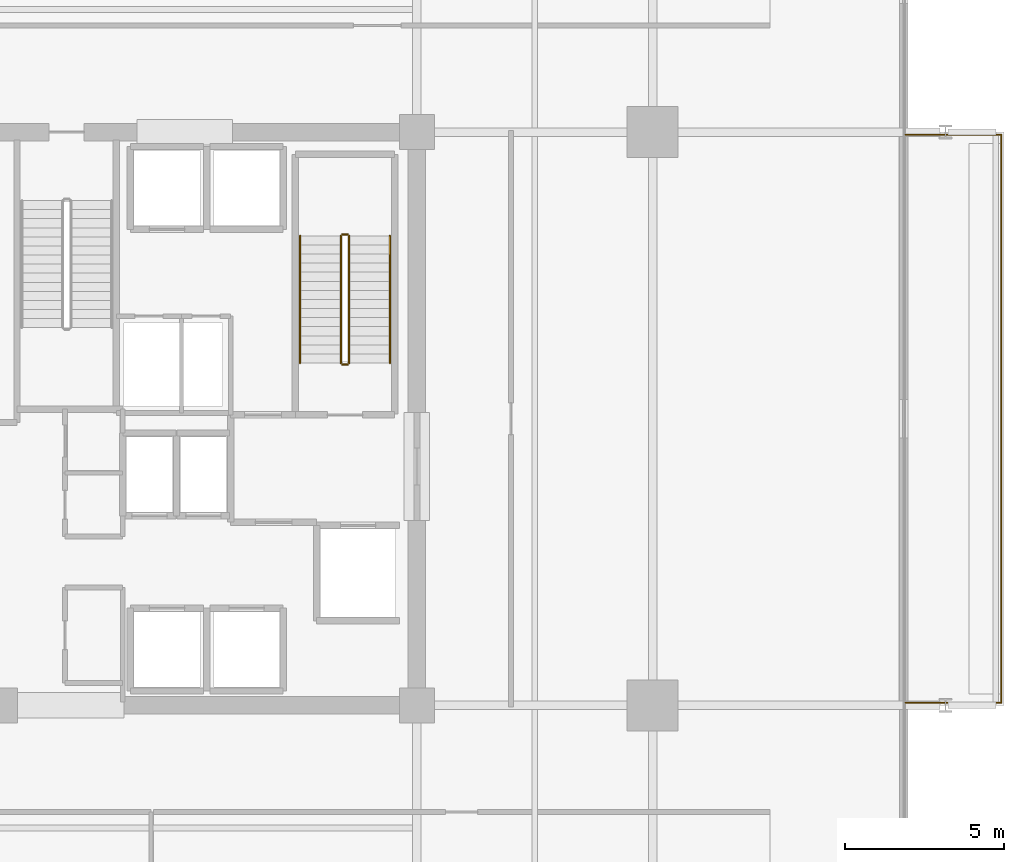
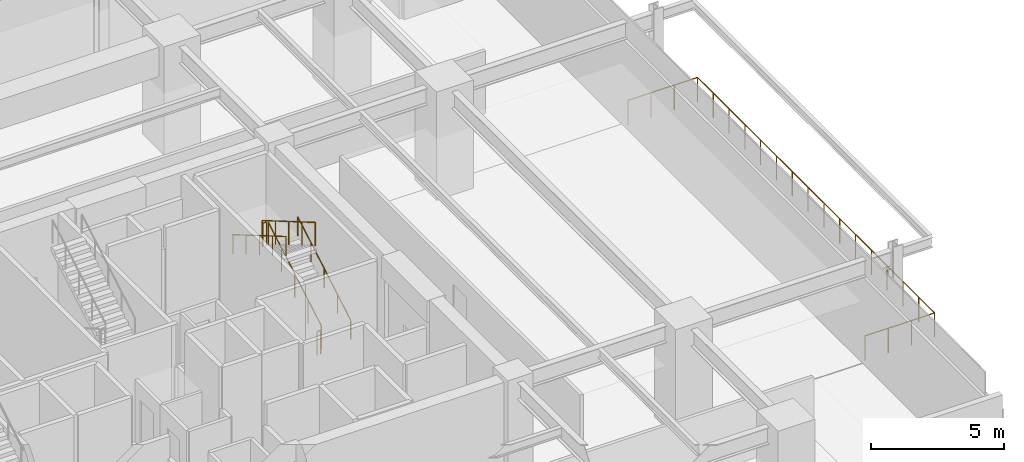
# One storey, part 19 of 20: 7 railings.
"""IFC4 building model written with IfcOpenShell, lengths in metres."""

import ifcopenshell
import ifcopenshell.guid

model = None  # the IFC model being written
_history = None  # IfcOwnerHistory: only IFC2X3 demands one
_inside = {}  # id of a spatial element -> (the spatial element, [elements in it])
_under = {}  # id of a project, library or spatial element -> (it, [spatial elements below it])
_declared = {}  # id of a project -> (the project, [libraries it declares])
_typed = {}  # id of a type object -> (the type object, [elements of that type])
_made_of = {}  # id of a material, layer set ... -> (it, [elements and type objects made of it])


def new_model(schema):
    """Start an empty IFC model of exactly this schema.

    Asked for "IFC4X3", IfcOpenShell would pick the latest addendum, in which some entities
    have other attributes; the version numbers below select the first issue.
    IFC2X3 requires an IfcOwnerHistory on every rooted entity: one is made here for all.
    """
    global model, _history
    if schema == "IFC4X3":
        model = ifcopenshell.file(schema_version=(4, 3, 0, 0))
    else:
        model = ifcopenshell.file(schema=schema)
    _inside.clear()
    _under.clear()
    _declared.clear()
    _typed.clear()
    _made_of.clear()
    _history = None
    if model.schema == "IFC2X3":
        org = make("IfcOrganization", Name="unknown")
        user = make(
            "IfcPersonAndOrganization",
            ThePerson=make("IfcPerson", FamilyName="unknown"),
            TheOrganization=org,
        )
        app = make(
            "IfcApplication",
            ApplicationDeveloper=org,
            Version="unknown",
            ApplicationFullName="unknown",
            ApplicationIdentifier="unknown",
        )
        _history = make(
            "IfcOwnerHistory",
            OwningUser=user,
            OwningApplication=app,
            ChangeAction="ADDED",
            CreationDate=0,
        )
    return model


def make(cls, **values):
    """One entity of the class cls with the attributes given. An attribute that is None is left unset."""
    return model.create_entity(
        cls, **{name: value for name, value in values.items() if value is not None}
    )


def rooted(cls, **values):
    """An entity with a GlobalId (a new one), such as an element, a storey or a relation."""
    return make(cls, GlobalId=ifcopenshell.guid.new(), OwnerHistory=_history, **values)


def si_unit(unit_type, name, prefix=None):
    """IfcSIUnit, for example si_unit("LENGTHUNIT", "METRE", prefix="MILLI")."""
    return make("IfcSIUnit", UnitType=unit_type, Prefix=prefix, Name=name)


def assignment(units):
    """IfcUnitAssignment: the units of a project."""
    return None if units is None else make("IfcUnitAssignment", Units=units)


def point(xyz):
    """IfcCartesianPoint."""
    return None if xyz is None else make("IfcCartesianPoint", Coordinates=xyz)


def direction(xyz):
    """IfcDirection."""
    return None if xyz is None else make("IfcDirection", DirectionRatios=xyz)


def frame(location, z_axis=None, x_axis=None):
    """IfcAxis2Placement3D, a coordinate frame: its origin and axes. An axis left out is left unset."""
    return make(
        "IfcAxis2Placement3D",
        Location=point(location),
        Axis=direction(z_axis),
        RefDirection=direction(x_axis),
    )


def frame_2d(location, x_axis=None):
    """IfcAxis2Placement2D, a coordinate frame in the plane: its origin and x axis."""
    return make(
        "IfcAxis2Placement2D", Location=point(location), RefDirection=direction(x_axis)
    )


def origin():
    """The frame at (0, 0, 0) with its axes left unset."""
    return frame((0.0, 0.0, 0.0))


def origin_2d():
    """The frame at (0, 0) in the plane with its x axis left unset."""
    return frame_2d((0.0, 0.0))


def place(relative_to, where):
    """IfcLocalPlacement: puts the frame where relative to a parent placement (None: the world)."""
    return make(
        "IfcLocalPlacement", PlacementRelTo=relative_to, RelativePlacement=where
    )


def context(
    kind, dimensions, precision=None, world=None, true_north=None, identifier=None
):
    """IfcGeometricRepresentationContext, for example the 3D "Model" context."""
    return make(
        "IfcGeometricRepresentationContext",
        ContextIdentifier=identifier,
        ContextType=kind,
        CoordinateSpaceDimension=dimensions,
        Precision=precision,
        WorldCoordinateSystem=world,
        TrueNorth=true_north,
    )


def subcontext(parent, identifier, kind, view, scale=None):
    """IfcGeometricRepresentationSubContext, for example "Body" below "Model"."""
    return make(
        "IfcGeometricRepresentationSubContext",
        ContextIdentifier=identifier,
        ContextType=kind,
        ParentContext=parent,
        TargetScale=scale,
        TargetView=view,
    )


def project(units=None, contexts=None):
    """IfcProject with its units and contexts."""
    return rooted(
        "IfcProject",
        Name="project",
        RepresentationContexts=contexts,
        UnitsInContext=assignment(units),
    )


def spatial(cls, under=None, at=None, **own):
    """A site, building, storey or space (cls), placed at a placement, below another one or the project."""
    s = rooted(cls, ObjectPlacement=at, **own)
    if under is not None:
        _under.setdefault(under.id(), (under, []))[1].append(s)
    return s


def profile(cls, at=None, kind="AREA", **sizes):
    """A parametric profile (cls). Its sizes go by their IFC names, for example OverallWidth=200.0."""
    return make(cls, ProfileType=kind, Position=at, **sizes)


def circle(**sizes):
    """IfcCircleProfileDef."""
    return profile("IfcCircleProfileDef", **sizes)


def extrude(swept, where, along, depth):
    """IfcExtrudedAreaSolid: the profile swept, set in the frame where, extruded along a direction by depth."""
    return make(
        "IfcExtrudedAreaSolid",
        SweptArea=swept,
        Position=where,
        ExtrudedDirection=direction(along),
        Depth=depth,
    )


def shape(context_of_items, identifier, shape_type, items):
    """IfcShapeRepresentation: the items that make up one representation, for example the "Body"."""
    return make(
        "IfcShapeRepresentation",
        ContextOfItems=context_of_items,
        RepresentationIdentifier=identifier,
        RepresentationType=shape_type,
        Items=items,
    )


def material(Name=None, Category=None):
    """IfcMaterial."""
    return make("IfcMaterial", Name=Name, Category=Category)


def made_of(thing, what):
    """Note that an element or type object is made of a material, layer set ...; save() writes the relation."""
    if what is not None:
        _made_of.setdefault(what.id(), (what, []))[1].append(thing)
    return thing


def type_object(cls, material=None, **own):
    """A type object (cls), such as IfcWallType, which elements share."""
    return made_of(rooted(cls, **own), material)


def element(
    cls,
    number,
    at=None,
    inside=None,
    cuts=None,
    type_object=None,
    material=None,
    context=None,
    identifier="Body",
    shape_type=None,
    held_by="IfcProductDefinitionShape",
    body=None,
    shapes=None,
    **own,
):
    """One element of the class cls, such as IfcWall. Its Tag is "e" and its number.

    at: its placement. inside: the storey or other place that contains it. cuts: it is an
    opening in that element (IfcRelVoidsElement). A single representation is given by context,
    identifier, shape_type and body (its items); several are given by shapes. held_by: the class
    of the entity that holds the representations. save() writes the other relations.
    """
    e = rooted(cls, Tag="e%d" % number, ObjectPlacement=at, **own)
    if body is not None:
        shapes = [shape(context, identifier, shape_type, body)]
    if shapes is not None:
        e.Representation = make(held_by, Representations=shapes)
    if inside is not None:
        _inside.setdefault(inside.id(), (inside, []))[1].append(e)
    if cuts is not None:
        rooted(
            "IfcRelVoidsElement", RelatingBuildingElement=cuts, RelatedOpeningElement=e
        )
    if type_object is not None:
        _typed.setdefault(type_object.id(), (type_object, []))[1].append(e)
    return made_of(e, material)


def aggregate(whole, parts):
    """IfcRelAggregates: a whole, such as a stair, and the parts it consists of."""
    return rooted("IfcRelAggregates", RelatingObject=whole, RelatedObjects=parts)


def save(model, path):
    """Write the relations noted so far, then the file.

    IfcRelAggregates (storeys below a building ...), IfcRelContainedInSpatialStructure (elements
    in a storey), IfcRelDefinesByType, IfcRelAssociatesMaterial and IfcRelDeclares: one each for
    every whole, place, type object, material and project.
    """
    for whole, parts in _under.values():
        aggregate(whole, parts)
    for where, things in _inside.values():
        rooted(
            "IfcRelContainedInSpatialStructure",
            RelatedElements=things,
            RelatingStructure=where,
        )
    for kind, things in _typed.values():
        rooted("IfcRelDefinesByType", RelatedObjects=things, RelatingType=kind)
    for what, things in _made_of.values():
        rooted("IfcRelAssociatesMaterial", RelatedObjects=things, RelatingMaterial=what)
    for by, libraries in _declared.values():
        rooted("IfcRelDeclares", RelatingContext=by, RelatedDefinitions=libraries)
    model.write(path)


model = new_model("IFC4")

# Units and contexts
model_context = context("Model", 3, precision=1e-05, world=origin(), true_north=direction((0.0, 1.0)))
body_context = subcontext(model_context, "Body", "Model", "MODEL_VIEW")
ifc_project = project(units=[si_unit("LENGTHUNIT", "METRE"), si_unit("AREAUNIT", "SQUARE_METRE"), si_unit("VOLUMEUNIT", "CUBIC_METRE"), si_unit("PLANEANGLEUNIT", "RADIAN"), si_unit("MASSUNIT", "GRAM", prefix="KILO")], contexts=[model_context])

# Site, building, storey
site_placement = place(None, origin())
site = spatial("IfcSite", under=ifc_project, at=site_placement, CompositionType="ELEMENT")
building_placement = place(site_placement, origin())
building = spatial("IfcBuilding", under=site, at=building_placement, Name="Kovane Verandah Tower", CompositionType="ELEMENT")
storey_placement = place(building_placement, frame((0.0, 0.0, 123.39990234375)))
storey = spatial("IfcBuildingStorey", under=building, at=storey_placement, Name="L28", CompositionType="ELEMENT", Elevation=123.39990234375)

# Railings
ifc_material_1 = material(Name="Laminated Glass and Pale-Champagne Stainless Balustrade", Category="glass")
railing_type_1 = type_object("IfcRailingType", Name="RL-BAL-1150", PredefinedType="BALUSTRADE", material=ifc_material_1)
railing_1_placement = place(storey_placement, frame((66.334716796875, 18.580078125, 0.0)))
element("IfcRailing", 1, at=railing_1_placement, inside=storey, type_object=railing_type_1, Name="L28 E Verandah Glass Balustrade", PredefinedType="BALUSTRADE", context=body_context, shape_type="SweptSolid", body=[
    extrude(circle(Radius=0.02392578125, at=origin_2d()), frame((0.0, 0.0, 1.1259765625), z_axis=(1.0, 0.0, 0.0), x_axis=(0.0, 1.0, 0.0)), (0.0, 0.0, 1.0), 3.019775390625),
    extrude(circle(Radius=0.02392578125, at=origin_2d()), frame((3.019775390625, 0.0, 1.1259765625), z_axis=(0.0, 1.0, 0.0), x_axis=(-1.0, 0.0, 0.0)), (0.0, 0.0, 1.0), 17.83984375),
    extrude(circle(Radius=0.02392578125, at=origin_2d()), frame((3.019775390625, 17.83984375, 1.1259765625), z_axis=(-1.0, 0.0, 0.0), x_axis=(0.0, -1.0, 0.0)), (0.0, 0.0, 1.0), 3.019775390625),
    extrude(circle(Radius=0.02099609375, at=origin_2d()), origin(), (0.0, 0.0, 1.0), 1.101806640625),
    extrude(circle(Radius=0.02099609375, at=origin_2d()), frame((1.006591796875, 0.0, 0.0)), (0.0, 0.0, 1.0), 1.101806640625),
    extrude(circle(Radius=0.02099609375, at=origin_2d()), frame((2.01318359375, 0.0, 0.0)), (0.0, 0.0, 1.0), 1.101806640625),
    extrude(circle(Radius=0.02099609375, at=origin_2d()), frame((3.019775390625, 0.0, 0.0)), (0.0, 0.0, 1.0), 1.101806640625),
    extrude(circle(Radius=0.02099609375, at=origin_2d()), frame((3.019775390625, 1.189208984375, 0.0)), (0.0, 0.0, 1.0), 1.101806640625),
    extrude(circle(Radius=0.02099609375, at=origin_2d()), frame((3.019775390625, 2.378662109375, 0.0)), (0.0, 0.0, 1.0), 1.101806640625),
    extrude(circle(Radius=0.02099609375, at=origin_2d()), frame((3.019775390625, 3.56787109375, 0.0)), (0.0, 0.0, 1.0), 1.101806640625),
    extrude(circle(Radius=0.02099609375, at=origin_2d()), frame((3.019775390625, 4.75732421875, 0.0)), (0.0, 0.0, 1.0), 1.101806640625),
    extrude(circle(Radius=0.02099609375, at=origin_2d()), frame((3.019775390625, 5.946533203125, 0.0)), (0.0, 0.0, 1.0), 1.101806640625),
    extrude(circle(Radius=0.02099609375, at=origin_2d()), frame((3.019775390625, 7.135986328125, 0.0)), (0.0, 0.0, 1.0), 1.101806640625),
    extrude(circle(Radius=0.02099609375, at=origin_2d()), frame((3.019775390625, 8.3251953125, 0.0)), (0.0, 0.0, 1.0), 1.101806640625),
    extrude(circle(Radius=0.02099609375, at=origin_2d()), frame((3.019775390625, 9.5146484375, 0.0)), (0.0, 0.0, 1.0), 1.101806640625),
    extrude(circle(Radius=0.02099609375, at=origin_2d()), frame((3.019775390625, 10.703857421875, 0.0)), (0.0, 0.0, 1.0), 1.101806640625),
    extrude(circle(Radius=0.02099609375, at=origin_2d()), frame((3.019775390625, 11.893310546875, 0.0)), (0.0, 0.0, 1.0), 1.101806640625),
    extrude(circle(Radius=0.02099609375, at=origin_2d()), frame((3.019775390625, 13.08251953125, 0.0)), (0.0, 0.0, 1.0), 1.101806640625),
    extrude(circle(Radius=0.02099609375, at=origin_2d()), frame((3.019775390625, 14.27197265625, 0.0)), (0.0, 0.0, 1.0), 1.101806640625),
    extrude(circle(Radius=0.02099609375, at=origin_2d()), frame((3.019775390625, 15.461181640625, 0.0)), (0.0, 0.0, 1.0), 1.101806640625),
    extrude(circle(Radius=0.02099609375, at=origin_2d()), frame((3.019775390625, 16.650634765625, 0.0)), (0.0, 0.0, 1.0), 1.101806640625),
    extrude(circle(Radius=0.02099609375, at=origin_2d()), frame((3.019775390625, 17.83984375, 0.0)), (0.0, 0.0, 1.0), 1.101806640625),
    extrude(circle(Radius=0.02099609375, at=origin_2d()), frame((2.01318359375, 17.83984375, 0.0)), (0.0, 0.0, 1.0), 1.101806640625),
    extrude(circle(Radius=0.02099609375, at=origin_2d()), frame((1.006591796875, 17.83984375, 0.0)), (0.0, 0.0, 1.0), 1.101806640625),
    extrude(circle(Radius=0.02099609375, at=origin_2d()), frame((0.0, 17.83984375, 0.0)), (0.0, 0.0, 1.0), 1.101806640625),
])
ifc_material_2 = material(Name="Brushed Stainless Steel Handrail", Category="steel")
railing_type_2 = type_object("IfcRailingType", Name="RL-HAND-920", PredefinedType="HANDRAIL", material=ifc_material_2)
railing_2_placement = place(storey_placement, frame((50.14990234375, 29.25, 0.166748046875)))
element("IfcRailing", 2, at=railing_2_placement, inside=storey, type_object=railing_type_2, Name="L28 ST-02 stair handrail 1", PredefinedType="HANDRAIL", context=body_context, shape_type="SweptSolid", body=[
    extrude(circle(Radius=0.02392578125, at=origin_2d()), frame((0.0, 0.0, 0.8759765625), z_axis=(0.0, 0.863236243904, 0.504800145811), x_axis=(-1.0, 0.0, 0.0)), (0.0, 0.0, 1.0), 4.6220703125),
    extrude(circle(Radius=0.02099609375, at=origin_2d()), origin(), (0.0, 0.0, 1.0), 0.851806640625),
    extrude(circle(Radius=0.02099609375, at=origin_2d()), frame((0.0, 0.99755859375, 0.583251953125)), (0.0, 0.0, 1.0), 0.851806640625),
    extrude(circle(Radius=0.02099609375, at=origin_2d()), frame((0.0, 1.9951171875, 1.16650390625)), (0.0, 0.0, 1.0), 0.851806640625),
    extrude(circle(Radius=0.02099609375, at=origin_2d()), frame((0.0, 2.992431640625, 1.75)), (0.0, 0.0, 1.0), 0.851806640625),
    extrude(circle(Radius=0.02099609375, at=origin_2d()), frame((0.0, 3.989990234375, 2.333251953125)), (0.0, 0.0, 1.0), 0.851806640625),
])
railing_3_placement = place(storey_placement, frame((47.330078125, 33.239990234375, 2.666748046875)))
element("IfcRailing", 3, at=railing_3_placement, inside=storey, type_object=railing_type_2, Name="L28 ST-02 stair handrail 2", PredefinedType="HANDRAIL", context=body_context, shape_type="SweptSolid", body=[
    extrude(circle(Radius=0.02392578125, at=origin_2d()), frame((0.0, 0.0, 0.8759765625), z_axis=(0.0, -0.863236243904, 0.504800145811), x_axis=(1.0, 0.0, 0.0)), (0.0, 0.0, 1.0), 4.6220703125),
    extrude(circle(Radius=0.02099609375, at=origin_2d()), origin(), (0.0, 0.0, 1.0), 0.851806640625),
    extrude(circle(Radius=0.02099609375, at=origin_2d()), frame((0.0, -0.99755859375, 0.583251953125)), (0.0, 0.0, 1.0), 0.851806640625),
    extrude(circle(Radius=0.02099609375, at=origin_2d()), frame((0.0, -1.9951171875, 1.16650390625)), (0.0, 0.0, 1.0), 0.851806640625),
    extrude(circle(Radius=0.02099609375, at=origin_2d()), frame((0.0, -2.992431640625, 1.75)), (0.0, 0.0, 1.0), 0.851806640625),
    extrude(circle(Radius=0.02099609375, at=origin_2d()), frame((0.0, -3.989990234375, 2.333251953125)), (0.0, 0.0, 1.0), 0.851806640625),
])
ifc_material_3 = material(Name="Painted Steel Stairwell Guardrail", Category="steel")
railing_type_3 = type_object("IfcRailingType", Name="RL-STGUARD-1120", PredefinedType="GUARDRAIL", material=ifc_material_3)
railing_4_placement = place(storey_placement, frame((48.8701171875, 29.25, 0.166748046875)))
element("IfcRailing", 4, at=railing_4_placement, inside=storey, type_object=railing_type_3, Name="L28 ST-02 stair guard 1", PredefinedType="GUARDRAIL", context=body_context, shape_type="SweptSolid", body=[
    extrude(circle(Radius=0.02392578125, at=origin_2d()), frame((0.0, 0.0, 1.076171875), z_axis=(0.0, 0.863236243904, 0.504800145811), x_axis=(-1.0, 0.0, 0.0)), (0.0, 0.0, 1.0), 4.6220703125),
    extrude(circle(Radius=0.02099609375, at=origin_2d()), origin(), (0.0, 0.0, 1.0), 1.052001953125),
    extrude(circle(Radius=0.02099609375, at=origin_2d()), frame((0.0, 0.99755859375, 0.583251953125)), (0.0, 0.0, 1.0), 1.052001953125),
    extrude(circle(Radius=0.02099609375, at=origin_2d()), frame((0.0, 1.9951171875, 1.16650390625)), (0.0, 0.0, 1.0), 1.052001953125),
    extrude(circle(Radius=0.02099609375, at=origin_2d()), frame((0.0, 2.992431640625, 1.75)), (0.0, 0.0, 1.0), 1.052001953125),
    extrude(circle(Radius=0.02099609375, at=origin_2d()), frame((0.0, 3.989990234375, 2.333251953125)), (0.0, 0.0, 1.0), 1.052001953125),
])
railing_5_placement = place(storey_placement, frame((48.820068359375, 33.2900390625, 2.5)))
element("IfcRailing", 5, at=railing_5_placement, inside=storey, type_object=railing_type_3, Name="L28 ST-02 stair guard 2", PredefinedType="GUARDRAIL", context=body_context, shape_type="SweptSolid", body=[
    extrude(circle(Radius=0.02392578125, at=origin_2d()), frame((0.0, 0.0, 1.076171875), z_axis=(-1.0, 0.0, 0.0), x_axis=(0.0, -1.0, 0.0)), (0.0, 0.0, 1.0), 0.16015625),
    extrude(circle(Radius=0.02099609375, at=origin_2d()), origin(), (0.0, 0.0, 1.0), 1.052001953125),
    extrude(circle(Radius=0.02099609375, at=origin_2d()), frame((-0.16015625, 0.0, 0.0)), (0.0, 0.0, 1.0), 1.052001953125),
])
railing_6_placement = place(storey_placement, frame((48.610107421875, 33.239990234375, 2.666748046875)))
element("IfcRailing", 6, at=railing_6_placement, inside=storey, type_object=railing_type_3, Name="L28 ST-02 stair guard 3", PredefinedType="GUARDRAIL", context=body_context, shape_type="SweptSolid", body=[
    extrude(circle(Radius=0.02392578125, at=origin_2d()), frame((0.0, 0.0, 1.076171875), z_axis=(0.0, -0.863236243904, 0.504800145811), x_axis=(1.0, 0.0, 0.0)), (0.0, 0.0, 1.0), 4.6220703125),
    extrude(circle(Radius=0.02099609375, at=origin_2d()), origin(), (0.0, 0.0, 1.0), 1.052001953125),
    extrude(circle(Radius=0.02099609375, at=origin_2d()), frame((0.0, -0.99755859375, 0.583251953125)), (0.0, 0.0, 1.0), 1.052001953125),
    extrude(circle(Radius=0.02099609375, at=origin_2d()), frame((0.0, -1.9951171875, 1.16650390625)), (0.0, 0.0, 1.0), 1.052001953125),
    extrude(circle(Radius=0.02099609375, at=origin_2d()), frame((0.0, -2.992431640625, 1.75)), (0.0, 0.0, 1.0), 1.052001953125),
    extrude(circle(Radius=0.02099609375, at=origin_2d()), frame((0.0, -3.989990234375, 2.333251953125)), (0.0, 0.0, 1.0), 1.052001953125),
])
railing_7_placement = place(storey_placement, frame((48.820068359375, 29.199951171875, 0.0)))
element("IfcRailing", 7, at=railing_7_placement, inside=storey, type_object=railing_type_3, Name="L28 ST-02 stair guard 4", PredefinedType="GUARDRAIL", context=body_context, shape_type="SweptSolid", body=[
    extrude(circle(Radius=0.02392578125, at=origin_2d()), frame((0.0, 0.0, 1.076171875), z_axis=(-1.0, 0.0, 0.0), x_axis=(0.0, -1.0, 0.0)), (0.0, 0.0, 1.0), 0.16015625),
    extrude(circle(Radius=0.02099609375, at=origin_2d()), origin(), (0.0, 0.0, 1.0), 1.052001953125),
    extrude(circle(Radius=0.02099609375, at=origin_2d()), frame((-0.16015625, 0.0, 0.0)), (0.0, 0.0, 1.0), 1.052001953125),
])

save(model, "model.ifc")
